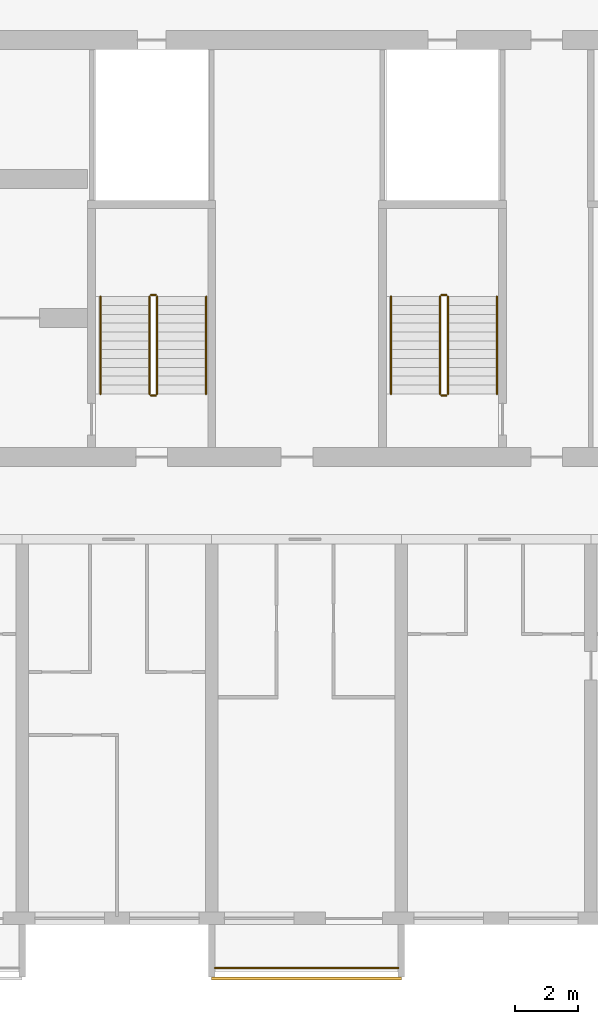
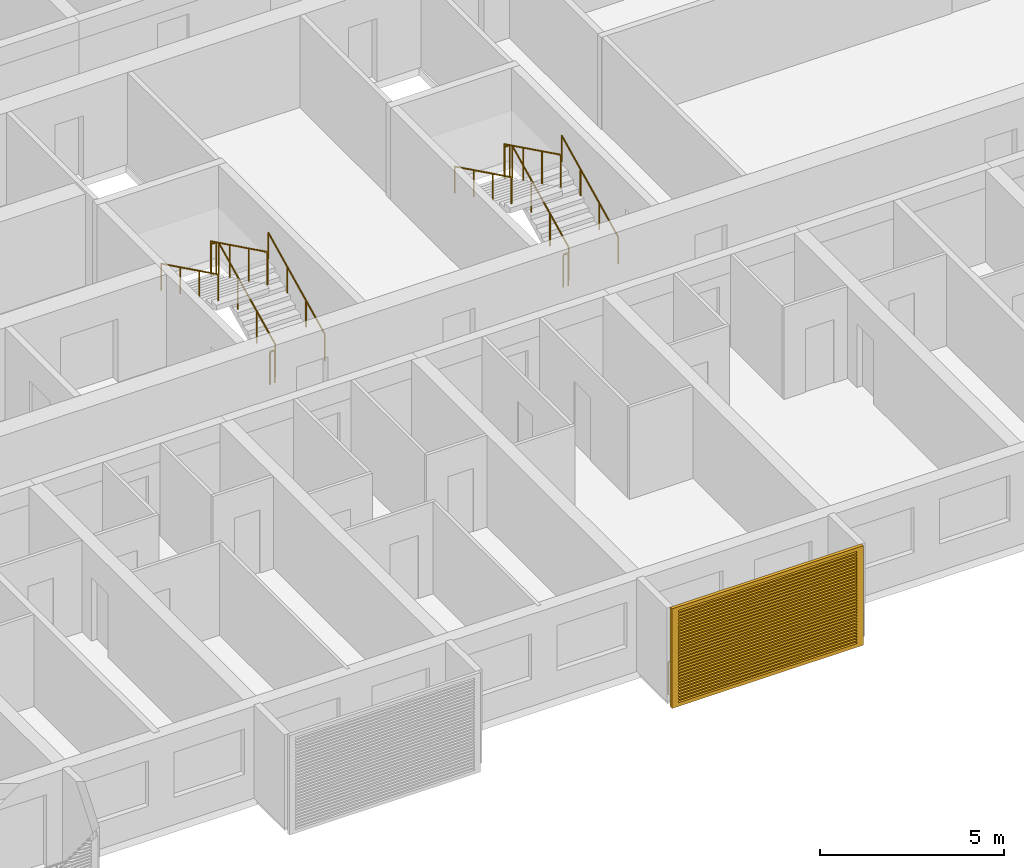
# One storey, part 32 of 40: 13 railings, 1 shading device.
"""IFC4 building model written with IfcOpenShell, lengths in metres."""

from ifc_helpers import new_model, si_unit, direction, frame, origin, origin_2d, place, context, subcontext, project, spatial, polyline, circle, outline, extrude, source, transform, mapped, material, material_profile, profile_set, type_object, element, save


model = new_model("IFC4")

# Units and contexts
model_context = context("Model", 3, precision=1e-05, world=origin(), true_north=direction((0.0, 1.0)))
body_context = subcontext(model_context, "Body", "Model", "MODEL_VIEW")
ifc_project = project(units=[si_unit("LENGTHUNIT", "METRE"), si_unit("AREAUNIT", "SQUARE_METRE"), si_unit("VOLUMEUNIT", "CUBIC_METRE"), si_unit("PLANEANGLEUNIT", "RADIAN"), si_unit("MASSUNIT", "GRAM", prefix="KILO")], contexts=[model_context])

# Site, building, storey
site_placement = place(None, origin())
site = spatial("IfcSite", under=ifc_project, at=site_placement, CompositionType="ELEMENT")
building_placement = place(site_placement, origin())
building = spatial("IfcBuilding", under=site, at=building_placement, Name="Poui Terraces", CompositionType="ELEMENT")
storey_placement = place(building_placement, frame((0.0, 0.0, 39.89990234375)))
storey = spatial("IfcBuildingStorey", under=building, at=storey_placement, Name="L10", CompositionType="ELEMENT", Elevation=39.89990234375)

# Railings
ifc_material_1 = material(Name="Painted steel fretwork", Category="steel")
railing_type_1 = type_object("IfcRailingType", Name="BALCONY GUARD 1100", PredefinedType="GUARDRAIL", material=ifc_material_1)
railing_1_placement = place(storey_placement, frame((72.10009765625, -1.570068359375, 0.0)))
element("IfcRailing", 1, at=railing_1_placement, inside=storey, type_object=railing_type_1, Name="BALCONY GUARD", PredefinedType="GUARDRAIL", context=body_context, shape_type="SweptSolid", body=[
    extrude(circle(Radius=0.02392578125, at=origin_2d()), frame((0.0, 0.0, 1.076171875), z_axis=(1.0, 0.0, 0.0), x_axis=(0.0, 1.0, 0.0)), (0.0, 0.0, 1.0), 5.7998046875),
    extrude(circle(Radius=0.02099609375, at=origin_2d()), origin(), (0.0, 0.0, 1.0), 1.052001953125),
    extrude(circle(Radius=0.02099609375, at=origin_2d()), frame((0.966552734375, 0.0, 0.0)), (0.0, 0.0, 1.0), 1.052001953125),
    extrude(circle(Radius=0.02099609375, at=origin_2d()), frame((1.933349609375, 0.0, 0.0)), (0.0, 0.0, 1.0), 1.052001953125),
    extrude(circle(Radius=0.02099609375, at=origin_2d()), frame((2.89990234375, 0.0, 0.0)), (0.0, 0.0, 1.0), 1.052001953125),
    extrude(circle(Radius=0.02099609375, at=origin_2d()), frame((3.866455078125, 0.0, 0.0)), (0.0, 0.0, 1.0), 1.052001953125),
    extrude(circle(Radius=0.02099609375, at=origin_2d()), frame((4.833251953125, 0.0, 0.0)), (0.0, 0.0, 1.0), 1.052001953125),
    extrude(circle(Radius=0.02099609375, at=origin_2d()), frame((5.7998046875, 0.0, 0.0)), (0.0, 0.0, 1.0), 1.052001953125),
])
ifc_material_2 = material(Name="Galvanised steel balustrade", Category="steel")
railing_type_2 = type_object("IfcRailingType", Name="STAIR GUARD 1100", PredefinedType="GUARDRAIL", material=ifc_material_2)
railing_2_placement = place(storey_placement, frame((70.27490234375, 16.60009765625, 0.1376953125)))
element("IfcRailing", 2, at=railing_2_placement, inside=storey, type_object=railing_type_2, Name="L10 ST-CE stair guard 1", PredefinedType="GUARDRAIL", context=body_context, shape_type="SweptSolid", body=[
    extrude(circle(Radius=0.02392578125, at=origin_2d()), frame((0.0, 0.0, 1.076171875), z_axis=(0.0, 0.897606190399, 0.440798283751), x_axis=(-1.0, 0.0, 0.0)), (0.0, 0.0, 1.0), 3.43115234375),
    extrude(circle(Radius=0.02099609375, at=origin_2d()), origin(), (0.0, 0.0, 1.0), 1.052001953125),
    extrude(circle(Radius=0.02099609375, at=origin_2d()), frame((0.0, 1.026611328125, 0.504150390625)), (0.0, 0.0, 1.0), 1.052001953125),
    extrude(circle(Radius=0.02099609375, at=origin_2d()), frame((0.0, 2.05322265625, 1.00830078125)), (0.0, 0.0, 1.0), 1.052001953125),
    extrude(circle(Radius=0.02099609375, at=origin_2d()), frame((0.0, 3.079833984375, 1.512451171875)), (0.0, 0.0, 1.0), 1.052001953125),
])
railing_3_placement = place(storey_placement, frame((70.22509765625, 19.72998046875, 1.650146484375)))
element("IfcRailing", 3, at=railing_3_placement, inside=storey, type_object=railing_type_2, Name="L10 ST-CE stair guard 2", PredefinedType="GUARDRAIL", context=body_context, shape_type="SweptSolid", body=[
    extrude(circle(Radius=0.02392578125, at=origin_2d()), frame((0.0, 0.0, 1.076171875), z_axis=(-1.0, 0.0, 0.0), x_axis=(0.0, -1.0, 0.0)), (0.0, 0.0, 1.0), 0.150146484375),
    extrude(circle(Radius=0.02099609375, at=origin_2d()), origin(), (0.0, 0.0, 1.0), 1.052001953125),
    extrude(circle(Radius=0.02099609375, at=origin_2d()), frame((-0.150146484375, 0.0, 0.0)), (0.0, 0.0, 1.0), 1.052001953125),
])
railing_4_placement = place(storey_placement, frame((70.02490234375, 19.679931640625, 1.78759765625)))
element("IfcRailing", 4, at=railing_4_placement, inside=storey, type_object=railing_type_2, Name="L10 ST-CE stair guard 3", PredefinedType="GUARDRAIL", context=body_context, shape_type="SweptSolid", body=[
    extrude(circle(Radius=0.02392578125, at=origin_2d()), frame((0.0, 0.0, 1.076171875), z_axis=(0.0, -0.897606190399, 0.440798283751), x_axis=(1.0, 0.0, 0.0)), (0.0, 0.0, 1.0), 3.43115234375),
    extrude(circle(Radius=0.02099609375, at=origin_2d()), origin(), (0.0, 0.0, 1.0), 1.052001953125),
    extrude(circle(Radius=0.02099609375, at=origin_2d()), frame((0.0, -1.026611328125, 0.504150390625)), (0.0, 0.0, 1.0), 1.052001953125),
    extrude(circle(Radius=0.02099609375, at=origin_2d()), frame((0.0, -2.05322265625, 1.00830078125)), (0.0, 0.0, 1.0), 1.052001953125),
    extrude(circle(Radius=0.02099609375, at=origin_2d()), frame((0.0, -3.079833984375, 1.512451171875)), (0.0, 0.0, 1.0), 1.052001953125),
])
railing_5_placement = place(storey_placement, frame((70.22509765625, 16.550048828125, 0.0)))
element("IfcRailing", 5, at=railing_5_placement, inside=storey, type_object=railing_type_2, Name="L10 ST-CE stair guard 4", PredefinedType="GUARDRAIL", context=body_context, shape_type="SweptSolid", body=[
    extrude(circle(Radius=0.02392578125, at=origin_2d()), frame((0.0, 0.0, 1.076171875), z_axis=(-1.0, 0.0, 0.0), x_axis=(0.0, -1.0, 0.0)), (0.0, 0.0, 1.0), 0.150146484375),
    extrude(circle(Radius=0.02099609375, at=origin_2d()), origin(), (0.0, 0.0, 1.0), 1.052001953125),
    extrude(circle(Radius=0.02099609375, at=origin_2d()), frame((-0.150146484375, 0.0, 0.0)), (0.0, 0.0, 1.0), 1.052001953125),
])
railing_6_placement = place(storey_placement, frame((79.47509765625, 16.60009765625, 0.1376953125)))
element("IfcRailing", 6, at=railing_6_placement, inside=storey, type_object=railing_type_2, Name="L10 ST-E stair guard 1", PredefinedType="GUARDRAIL", context=body_context, shape_type="SweptSolid", body=[
    extrude(circle(Radius=0.02392578125, at=origin_2d()), frame((0.0, 0.0, 1.076171875), z_axis=(0.0, 0.897606190399, 0.440798283751), x_axis=(-1.0, 0.0, 0.0)), (0.0, 0.0, 1.0), 3.43115234375),
    extrude(circle(Radius=0.02099609375, at=origin_2d()), origin(), (0.0, 0.0, 1.0), 1.052001953125),
    extrude(circle(Radius=0.02099609375, at=origin_2d()), frame((0.0, 1.026611328125, 0.504150390625)), (0.0, 0.0, 1.0), 1.052001953125),
    extrude(circle(Radius=0.02099609375, at=origin_2d()), frame((0.0, 2.05322265625, 1.00830078125)), (0.0, 0.0, 1.0), 1.052001953125),
    extrude(circle(Radius=0.02099609375, at=origin_2d()), frame((0.0, 3.079833984375, 1.512451171875)), (0.0, 0.0, 1.0), 1.052001953125),
])
railing_7_placement = place(storey_placement, frame((79.425048828125, 19.72998046875, 1.650146484375)))
element("IfcRailing", 7, at=railing_7_placement, inside=storey, type_object=railing_type_2, Name="L10 ST-E stair guard 2", PredefinedType="GUARDRAIL", context=body_context, shape_type="SweptSolid", body=[
    extrude(circle(Radius=0.02392578125, at=origin_2d()), frame((0.0, 0.0, 1.076171875), z_axis=(-1.0, 0.0, 0.0), x_axis=(0.0, -1.0, 0.0)), (0.0, 0.0, 1.0), 0.150146484375),
    extrude(circle(Radius=0.02099609375, at=origin_2d()), origin(), (0.0, 0.0, 1.0), 1.052001953125),
    extrude(circle(Radius=0.02099609375, at=origin_2d()), frame((-0.150146484375, 0.0, 0.0)), (0.0, 0.0, 1.0), 1.052001953125),
])
railing_8_placement = place(storey_placement, frame((79.22509765625, 19.679931640625, 1.78759765625)))
element("IfcRailing", 8, at=railing_8_placement, inside=storey, type_object=railing_type_2, Name="L10 ST-E stair guard 3", PredefinedType="GUARDRAIL", context=body_context, shape_type="SweptSolid", body=[
    extrude(circle(Radius=0.02392578125, at=origin_2d()), frame((0.0, 0.0, 1.076171875), z_axis=(0.0, -0.897606190399, 0.440798283751), x_axis=(1.0, 0.0, 0.0)), (0.0, 0.0, 1.0), 3.43115234375),
    extrude(circle(Radius=0.02099609375, at=origin_2d()), origin(), (0.0, 0.0, 1.0), 1.052001953125),
    extrude(circle(Radius=0.02099609375, at=origin_2d()), frame((0.0, -1.026611328125, 0.504150390625)), (0.0, 0.0, 1.0), 1.052001953125),
    extrude(circle(Radius=0.02099609375, at=origin_2d()), frame((0.0, -2.05322265625, 1.00830078125)), (0.0, 0.0, 1.0), 1.052001953125),
    extrude(circle(Radius=0.02099609375, at=origin_2d()), frame((0.0, -3.079833984375, 1.512451171875)), (0.0, 0.0, 1.0), 1.052001953125),
])
railing_9_placement = place(storey_placement, frame((79.425048828125, 16.550048828125, 0.0)))
element("IfcRailing", 9, at=railing_9_placement, inside=storey, type_object=railing_type_2, Name="L10 ST-E stair guard 4", PredefinedType="GUARDRAIL", context=body_context, shape_type="SweptSolid", body=[
    extrude(circle(Radius=0.02392578125, at=origin_2d()), frame((0.0, 0.0, 1.076171875), z_axis=(-1.0, 0.0, 0.0), x_axis=(0.0, -1.0, 0.0)), (0.0, 0.0, 1.0), 0.150146484375),
    extrude(circle(Radius=0.02099609375, at=origin_2d()), origin(), (0.0, 0.0, 1.0), 1.052001953125),
    extrude(circle(Radius=0.02099609375, at=origin_2d()), frame((-0.150146484375, 0.0, 0.0)), (0.0, 0.0, 1.0), 1.052001953125),
])
ifc_material_3 = material(Name="Stainless steel handrail", Category="steel")
railing_type_3 = type_object("IfcRailingType", Name="STAIR HANDRAIL 900", PredefinedType="HANDRAIL", material=ifc_material_3)
railing_10_placement = place(storey_placement, frame((71.824951171875, 16.60009765625, 0.1376953125)))
element("IfcRailing", 10, at=railing_10_placement, inside=storey, type_object=railing_type_3, Name="L10 ST-CE stair handrail 1", PredefinedType="HANDRAIL", context=body_context, shape_type="SweptSolid", body=[
    extrude(circle(Radius=0.02392578125, at=origin_2d()), frame((0.0, 0.0, 0.8759765625), z_axis=(0.0, 0.897606190399, 0.440798283751), x_axis=(-1.0, 0.0, 0.0)), (0.0, 0.0, 1.0), 3.43115234375),
    extrude(circle(Radius=0.02099609375, at=origin_2d()), origin(), (0.0, 0.0, 1.0), 0.851806640625),
    extrude(circle(Radius=0.02099609375, at=origin_2d()), frame((0.0, 1.026611328125, 0.504150390625)), (0.0, 0.0, 1.0), 0.851806640625),
    extrude(circle(Radius=0.02099609375, at=origin_2d()), frame((0.0, 2.05322265625, 1.00830078125)), (0.0, 0.0, 1.0), 0.851806640625),
    extrude(circle(Radius=0.02099609375, at=origin_2d()), frame((0.0, 3.079833984375, 1.512451171875)), (0.0, 0.0, 1.0), 0.851806640625),
])
railing_11_placement = place(storey_placement, frame((68.47509765625, 19.679931640625, 1.78759765625)))
element("IfcRailing", 11, at=railing_11_placement, inside=storey, type_object=railing_type_3, Name="L10 ST-CE stair handrail 2", PredefinedType="HANDRAIL", context=body_context, shape_type="SweptSolid", body=[
    extrude(circle(Radius=0.02392578125, at=origin_2d()), frame((0.0, 0.0, 0.8759765625), z_axis=(0.0, -0.897606190399, 0.440798283751), x_axis=(1.0, 0.0, 0.0)), (0.0, 0.0, 1.0), 3.43115234375),
    extrude(circle(Radius=0.02099609375, at=origin_2d()), origin(), (0.0, 0.0, 1.0), 0.851806640625),
    extrude(circle(Radius=0.02099609375, at=origin_2d()), frame((0.0, -1.026611328125, 0.504150390625)), (0.0, 0.0, 1.0), 0.851806640625),
    extrude(circle(Radius=0.02099609375, at=origin_2d()), frame((0.0, -2.05322265625, 1.00830078125)), (0.0, 0.0, 1.0), 0.851806640625),
    extrude(circle(Radius=0.02099609375, at=origin_2d()), frame((0.0, -3.079833984375, 1.512451171875)), (0.0, 0.0, 1.0), 0.851806640625),
])
railing_12_placement = place(storey_placement, frame((81.02490234375, 16.60009765625, 0.1376953125)))
element("IfcRailing", 12, at=railing_12_placement, inside=storey, type_object=railing_type_3, Name="L10 ST-E stair handrail 1", PredefinedType="HANDRAIL", context=body_context, shape_type="SweptSolid", body=[
    extrude(circle(Radius=0.02392578125, at=origin_2d()), frame((0.0, 0.0, 0.8759765625), z_axis=(0.0, 0.897606190399, 0.440798283751), x_axis=(-1.0, 0.0, 0.0)), (0.0, 0.0, 1.0), 3.43115234375),
    extrude(circle(Radius=0.02099609375, at=origin_2d()), origin(), (0.0, 0.0, 1.0), 0.851806640625),
    extrude(circle(Radius=0.02099609375, at=origin_2d()), frame((0.0, 1.026611328125, 0.504150390625)), (0.0, 0.0, 1.0), 0.851806640625),
    extrude(circle(Radius=0.02099609375, at=origin_2d()), frame((0.0, 2.05322265625, 1.00830078125)), (0.0, 0.0, 1.0), 0.851806640625),
    extrude(circle(Radius=0.02099609375, at=origin_2d()), frame((0.0, 3.079833984375, 1.512451171875)), (0.0, 0.0, 1.0), 0.851806640625),
])
railing_13_placement = place(storey_placement, frame((77.675048828125, 19.679931640625, 1.78759765625)))
element("IfcRailing", 13, at=railing_13_placement, inside=storey, type_object=railing_type_3, Name="L10 ST-E stair handrail 2", PredefinedType="HANDRAIL", context=body_context, shape_type="SweptSolid", body=[
    extrude(circle(Radius=0.02392578125, at=origin_2d()), frame((0.0, 0.0, 0.8759765625), z_axis=(0.0, -0.897606190399, 0.440798283751), x_axis=(1.0, 0.0, 0.0)), (0.0, 0.0, 1.0), 3.43115234375),
    extrude(circle(Radius=0.02099609375, at=origin_2d()), origin(), (0.0, 0.0, 1.0), 0.851806640625),
    extrude(circle(Radius=0.02099609375, at=origin_2d()), frame((0.0, -1.026611328125, 0.504150390625)), (0.0, 0.0, 1.0), 0.851806640625),
    extrude(circle(Radius=0.02099609375, at=origin_2d()), frame((0.0, -2.05322265625, 1.00830078125)), (0.0, 0.0, 1.0), 0.851806640625),
    extrude(circle(Radius=0.02099609375, at=origin_2d()), frame((0.0, -3.079833984375, 1.512451171875)), (0.0, 0.0, 1.0), 0.851806640625),
])

# Shading device
ifc_material_4 = material(Name="Aluminium louvre", Category="aluminium")
ifc_material_profile = material_profile(ifc_material_4, outline(polyline([(-3.0, -1.64990234375), (3.0, -1.64990234375), (3.0, 1.64990234375), (-3.0, 1.64990234375), (-3.0, -1.64990234375)]), holes=[polyline([(-2.800048828125, -1.530029296875), (2.800048828125, -1.530029296875), (2.800048828125, -1.469970703125), (-2.800048828125, -1.469970703125), (-2.800048828125, -1.530029296875)]), polyline([(-2.800048828125, -1.429931640625), (2.800048828125, -1.429931640625), (2.800048828125, -1.3701171875), (-2.800048828125, -1.3701171875), (-2.800048828125, -1.429931640625)]), polyline([(-2.800048828125, -1.330078125), (2.800048828125, -1.330078125), (2.800048828125, -1.27001953125), (-2.800048828125, -1.27001953125), (-2.800048828125, -1.330078125)]), polyline([(-2.800048828125, -1.22998046875), (2.800048828125, -1.22998046875), (2.800048828125, -1.169921875), (-2.800048828125, -1.169921875), (-2.800048828125, -1.22998046875)]), polyline([(-2.800048828125, -1.1298828125), (2.800048828125, -1.1298828125), (2.800048828125, -1.070068359375), (-2.800048828125, -1.070068359375), (-2.800048828125, -1.1298828125)]), polyline([(-2.800048828125, -1.030029296875), (2.800048828125, -1.030029296875), (2.800048828125, -0.969970703125), (-2.800048828125, -0.969970703125), (-2.800048828125, -1.030029296875)]), polyline([(-2.800048828125, -0.929931640625), (2.800048828125, -0.929931640625), (2.800048828125, -0.8701171875), (-2.800048828125, -0.8701171875), (-2.800048828125, -0.929931640625)]), polyline([(-2.800048828125, -0.830078125), (2.800048828125, -0.830078125), (2.800048828125, -0.77001953125), (-2.800048828125, -0.77001953125), (-2.800048828125, -0.830078125)]), polyline([(-2.800048828125, -0.72998046875), (2.800048828125, -0.72998046875), (2.800048828125, -0.669921875), (-2.800048828125, -0.669921875), (-2.800048828125, -0.72998046875)]), polyline([(-2.800048828125, -0.6298828125), (2.800048828125, -0.6298828125), (2.800048828125, -0.570068359375), (-2.800048828125, -0.570068359375), (-2.800048828125, -0.6298828125)]), polyline([(-2.800048828125, -0.530029296875), (2.800048828125, -0.530029296875), (2.800048828125, -0.469970703125), (-2.800048828125, -0.469970703125), (-2.800048828125, -0.530029296875)]), polyline([(-2.800048828125, -0.429931640625), (2.800048828125, -0.429931640625), (2.800048828125, -0.3701171875), (-2.800048828125, -0.3701171875), (-2.800048828125, -0.429931640625)]), polyline([(-2.800048828125, -0.330078125), (2.800048828125, -0.330078125), (2.800048828125, -0.27001953125), (-2.800048828125, -0.27001953125), (-2.800048828125, -0.330078125)]), polyline([(-2.800048828125, -0.22998046875), (2.800048828125, -0.22998046875), (2.800048828125, -0.169921875), (-2.800048828125, -0.169921875), (-2.800048828125, -0.22998046875)]), polyline([(-2.800048828125, -0.1298828125), (2.800048828125, -0.1298828125), (2.800048828125, -0.070068359375), (-2.800048828125, -0.070068359375), (-2.800048828125, -0.1298828125)]), polyline([(-2.800048828125, -0.030029296875), (2.800048828125, -0.030029296875), (2.800048828125, 0.030029296875), (-2.800048828125, 0.030029296875), (-2.800048828125, -0.030029296875)]), polyline([(-2.800048828125, 0.070068359375), (2.800048828125, 0.070068359375), (2.800048828125, 0.1298828125), (-2.800048828125, 0.1298828125), (-2.800048828125, 0.070068359375)]), polyline([(-2.800048828125, 0.169921875), (2.800048828125, 0.169921875), (2.800048828125, 0.22998046875), (-2.800048828125, 0.22998046875), (-2.800048828125, 0.169921875)]), polyline([(-2.800048828125, 0.27001953125), (2.800048828125, 0.27001953125), (2.800048828125, 0.330078125), (-2.800048828125, 0.330078125), (-2.800048828125, 0.27001953125)]), polyline([(-2.800048828125, 0.3701171875), (2.800048828125, 0.3701171875), (2.800048828125, 0.429931640625), (-2.800048828125, 0.429931640625), (-2.800048828125, 0.3701171875)]), polyline([(-2.800048828125, 0.469970703125), (2.800048828125, 0.469970703125), (2.800048828125, 0.530029296875), (-2.800048828125, 0.530029296875), (-2.800048828125, 0.469970703125)]), polyline([(-2.800048828125, 0.570068359375), (2.800048828125, 0.570068359375), (2.800048828125, 0.6298828125), (-2.800048828125, 0.6298828125), (-2.800048828125, 0.570068359375)]), polyline([(-2.800048828125, 0.669921875), (2.800048828125, 0.669921875), (2.800048828125, 0.72998046875), (-2.800048828125, 0.72998046875), (-2.800048828125, 0.669921875)]), polyline([(-2.800048828125, 0.77001953125), (2.800048828125, 0.77001953125), (2.800048828125, 0.830078125), (-2.800048828125, 0.830078125), (-2.800048828125, 0.77001953125)]), polyline([(-2.800048828125, 0.8701171875), (2.800048828125, 0.8701171875), (2.800048828125, 0.929931640625), (-2.800048828125, 0.929931640625), (-2.800048828125, 0.8701171875)]), polyline([(-2.800048828125, 0.969970703125), (2.800048828125, 0.969970703125), (2.800048828125, 1.030029296875), (-2.800048828125, 1.030029296875), (-2.800048828125, 0.969970703125)]), polyline([(-2.800048828125, 1.070068359375), (2.800048828125, 1.070068359375), (2.800048828125, 1.1298828125), (-2.800048828125, 1.1298828125), (-2.800048828125, 1.070068359375)]), polyline([(-2.800048828125, 1.169921875), (2.800048828125, 1.169921875), (2.800048828125, 1.22998046875), (-2.800048828125, 1.22998046875), (-2.800048828125, 1.169921875)]), polyline([(-2.800048828125, 1.27001953125), (2.800048828125, 1.27001953125), (2.800048828125, 1.330078125), (-2.800048828125, 1.330078125), (-2.800048828125, 1.27001953125)]), polyline([(-2.800048828125, 1.3701171875), (2.800048828125, 1.3701171875), (2.800048828125, 1.429931640625), (-2.800048828125, 1.429931640625), (-2.800048828125, 1.3701171875)]), polyline([(-2.800048828125, 1.469970703125), (2.800048828125, 1.469970703125), (2.800048828125, 1.530029296875), (-2.800048828125, 1.530029296875), (-2.800048828125, 1.469970703125)])]), Name="JALOUSIE LOUVRE SHUTTER 6000X3300")
ifc_profile_set = profile_set([ifc_material_profile], Name="Aluminium louvre")
shading_device_type = type_object("IfcShadingDeviceType", Name="JALOUSIE LOUVRE SHUTTER 6000X3300", PredefinedType="JALOUSIE", material=ifc_profile_set)
shared_shape = source(origin(), body_context, "Body", "SweptSolid", [
    extrude(outline(polyline([(-3.0, -1.64990234375), (3.0, -1.64990234375), (3.0, 1.64990234375), (-3.0, 1.64990234375), (-3.0, -1.64990234375)]), holes=[polyline([(-2.800048828125, -1.530029296875), (2.800048828125, -1.530029296875), (2.800048828125, -1.469970703125), (-2.800048828125, -1.469970703125), (-2.800048828125, -1.530029296875)]), polyline([(-2.800048828125, -1.429931640625), (2.800048828125, -1.429931640625), (2.800048828125, -1.3701171875), (-2.800048828125, -1.3701171875), (-2.800048828125, -1.429931640625)]), polyline([(-2.800048828125, -1.330078125), (2.800048828125, -1.330078125), (2.800048828125, -1.27001953125), (-2.800048828125, -1.27001953125), (-2.800048828125, -1.330078125)]), polyline([(-2.800048828125, -1.22998046875), (2.800048828125, -1.22998046875), (2.800048828125, -1.169921875), (-2.800048828125, -1.169921875), (-2.800048828125, -1.22998046875)]), polyline([(-2.800048828125, -1.1298828125), (2.800048828125, -1.1298828125), (2.800048828125, -1.070068359375), (-2.800048828125, -1.070068359375), (-2.800048828125, -1.1298828125)]), polyline([(-2.800048828125, -1.030029296875), (2.800048828125, -1.030029296875), (2.800048828125, -0.969970703125), (-2.800048828125, -0.969970703125), (-2.800048828125, -1.030029296875)]), polyline([(-2.800048828125, -0.929931640625), (2.800048828125, -0.929931640625), (2.800048828125, -0.8701171875), (-2.800048828125, -0.8701171875), (-2.800048828125, -0.929931640625)]), polyline([(-2.800048828125, -0.830078125), (2.800048828125, -0.830078125), (2.800048828125, -0.77001953125), (-2.800048828125, -0.77001953125), (-2.800048828125, -0.830078125)]), polyline([(-2.800048828125, -0.72998046875), (2.800048828125, -0.72998046875), (2.800048828125, -0.669921875), (-2.800048828125, -0.669921875), (-2.800048828125, -0.72998046875)]), polyline([(-2.800048828125, -0.6298828125), (2.800048828125, -0.6298828125), (2.800048828125, -0.570068359375), (-2.800048828125, -0.570068359375), (-2.800048828125, -0.6298828125)]), polyline([(-2.800048828125, -0.530029296875), (2.800048828125, -0.530029296875), (2.800048828125, -0.469970703125), (-2.800048828125, -0.469970703125), (-2.800048828125, -0.530029296875)]), polyline([(-2.800048828125, -0.429931640625), (2.800048828125, -0.429931640625), (2.800048828125, -0.3701171875), (-2.800048828125, -0.3701171875), (-2.800048828125, -0.429931640625)]), polyline([(-2.800048828125, -0.330078125), (2.800048828125, -0.330078125), (2.800048828125, -0.27001953125), (-2.800048828125, -0.27001953125), (-2.800048828125, -0.330078125)]), polyline([(-2.800048828125, -0.22998046875), (2.800048828125, -0.22998046875), (2.800048828125, -0.169921875), (-2.800048828125, -0.169921875), (-2.800048828125, -0.22998046875)]), polyline([(-2.800048828125, -0.1298828125), (2.800048828125, -0.1298828125), (2.800048828125, -0.070068359375), (-2.800048828125, -0.070068359375), (-2.800048828125, -0.1298828125)]), polyline([(-2.800048828125, -0.030029296875), (2.800048828125, -0.030029296875), (2.800048828125, 0.030029296875), (-2.800048828125, 0.030029296875), (-2.800048828125, -0.030029296875)]), polyline([(-2.800048828125, 0.070068359375), (2.800048828125, 0.070068359375), (2.800048828125, 0.1298828125), (-2.800048828125, 0.1298828125), (-2.800048828125, 0.070068359375)]), polyline([(-2.800048828125, 0.169921875), (2.800048828125, 0.169921875), (2.800048828125, 0.22998046875), (-2.800048828125, 0.22998046875), (-2.800048828125, 0.169921875)]), polyline([(-2.800048828125, 0.27001953125), (2.800048828125, 0.27001953125), (2.800048828125, 0.330078125), (-2.800048828125, 0.330078125), (-2.800048828125, 0.27001953125)]), polyline([(-2.800048828125, 0.3701171875), (2.800048828125, 0.3701171875), (2.800048828125, 0.429931640625), (-2.800048828125, 0.429931640625), (-2.800048828125, 0.3701171875)]), polyline([(-2.800048828125, 0.469970703125), (2.800048828125, 0.469970703125), (2.800048828125, 0.530029296875), (-2.800048828125, 0.530029296875), (-2.800048828125, 0.469970703125)]), polyline([(-2.800048828125, 0.570068359375), (2.800048828125, 0.570068359375), (2.800048828125, 0.6298828125), (-2.800048828125, 0.6298828125), (-2.800048828125, 0.570068359375)]), polyline([(-2.800048828125, 0.669921875), (2.800048828125, 0.669921875), (2.800048828125, 0.72998046875), (-2.800048828125, 0.72998046875), (-2.800048828125, 0.669921875)]), polyline([(-2.800048828125, 0.77001953125), (2.800048828125, 0.77001953125), (2.800048828125, 0.830078125), (-2.800048828125, 0.830078125), (-2.800048828125, 0.77001953125)]), polyline([(-2.800048828125, 0.8701171875), (2.800048828125, 0.8701171875), (2.800048828125, 0.929931640625), (-2.800048828125, 0.929931640625), (-2.800048828125, 0.8701171875)]), polyline([(-2.800048828125, 0.969970703125), (2.800048828125, 0.969970703125), (2.800048828125, 1.030029296875), (-2.800048828125, 1.030029296875), (-2.800048828125, 0.969970703125)]), polyline([(-2.800048828125, 1.070068359375), (2.800048828125, 1.070068359375), (2.800048828125, 1.1298828125), (-2.800048828125, 1.1298828125), (-2.800048828125, 1.070068359375)]), polyline([(-2.800048828125, 1.169921875), (2.800048828125, 1.169921875), (2.800048828125, 1.22998046875), (-2.800048828125, 1.22998046875), (-2.800048828125, 1.169921875)]), polyline([(-2.800048828125, 1.27001953125), (2.800048828125, 1.27001953125), (2.800048828125, 1.330078125), (-2.800048828125, 1.330078125), (-2.800048828125, 1.27001953125)]), polyline([(-2.800048828125, 1.3701171875), (2.800048828125, 1.3701171875), (2.800048828125, 1.429931640625), (-2.800048828125, 1.429931640625), (-2.800048828125, 1.3701171875)]), polyline([(-2.800048828125, 1.469970703125), (2.800048828125, 1.469970703125), (2.800048828125, 1.530029296875), (-2.800048828125, 1.530029296875), (-2.800048828125, 1.469970703125)])]), origin(), (0.0, 0.0, 1.0), 0.099853515625),
])
shading_device_placement = place(storey_placement, frame((75.0, -1.85009765625, 1.4501953125), z_axis=(0.0, -1.0, 0.0), x_axis=(1.0, 0.0, 0.0)))
element("IfcShadingDevice", 14, at=shading_device_placement, inside=storey, type_object=shading_device_type, Name="JALOUSIE LOUVRE SHUTTER", PredefinedType="JALOUSIE", context=body_context, shape_type="MappedRepresentation", body=[
    mapped(shared_shape, transform((0.0, 0.0, 0.0))),
])

save(model, "model.ifc")
